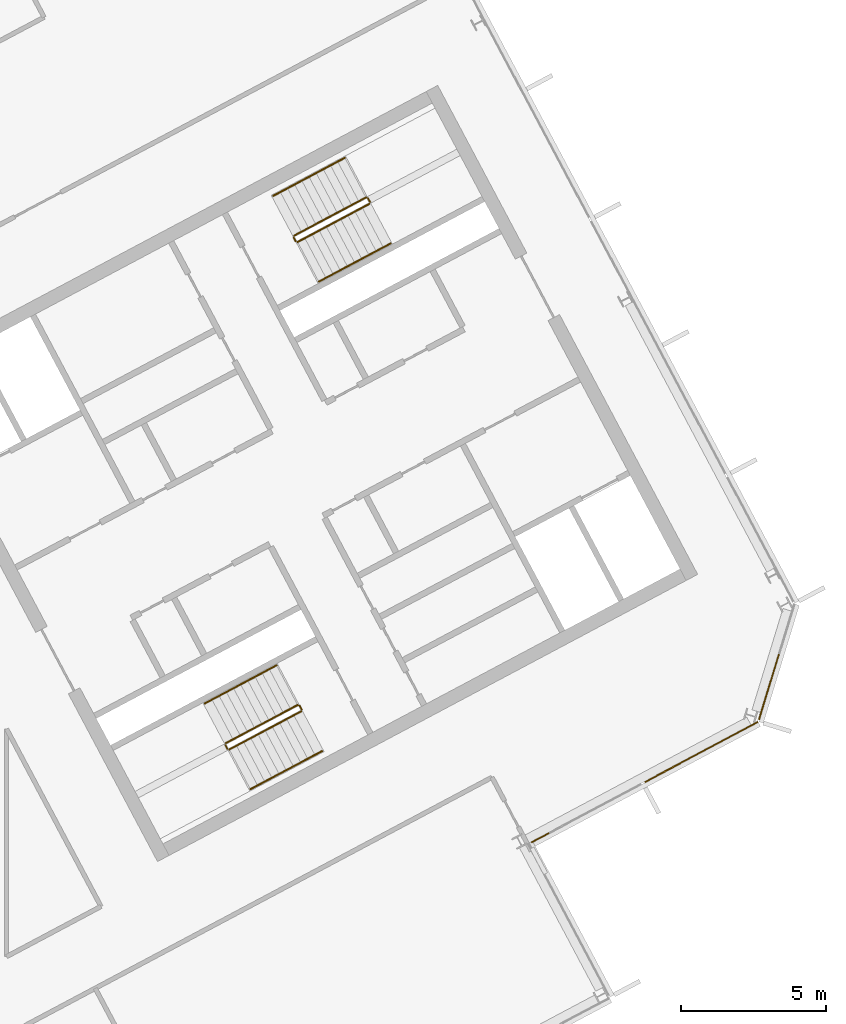
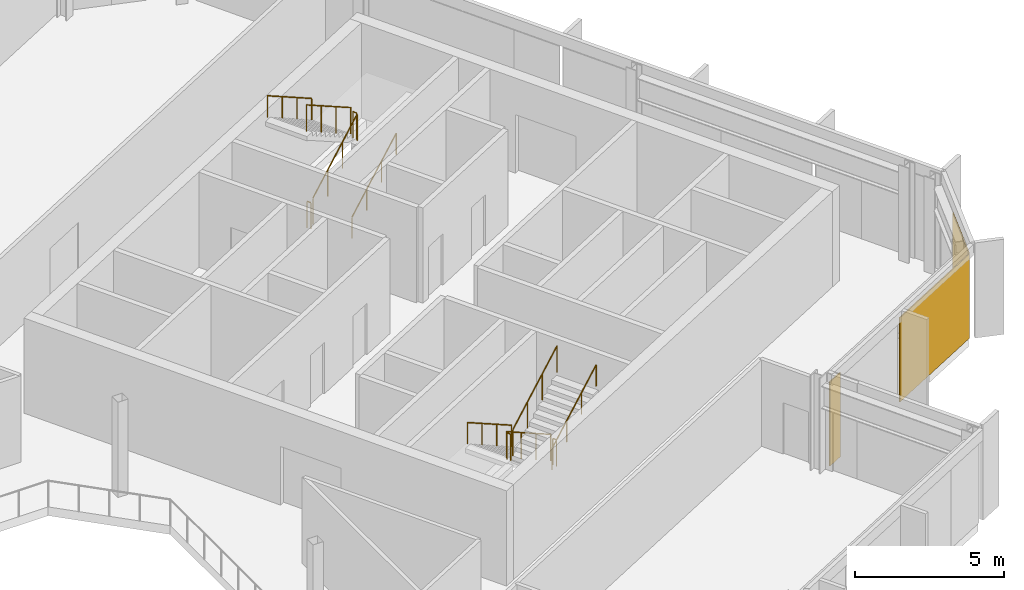
# One storey, part 25 of 26: 12 railings, 3 coverings, 2 elements without a shape of their own.
"""IFC4 building model written with IfcOpenShell, lengths in metres."""

from ifc_helpers import new_model, si_unit, direction, frame, origin, origin_2d, place, context, subcontext, project, spatial, polyline, rectangle, outline, extrude, material, layer, layer_set, type_object, element, aggregate, save


model = new_model("IFC4")

# Units and contexts
model_context = context("Model", 3, precision=1e-05, world=origin(), true_north=direction((0.0, 1.0)))
body_context = subcontext(model_context, "Body", "Model", "MODEL_VIEW")
ifc_project = project(units=[si_unit("LENGTHUNIT", "METRE"), si_unit("AREAUNIT", "SQUARE_METRE"), si_unit("VOLUMEUNIT", "CUBIC_METRE"), si_unit("PLANEANGLEUNIT", "RADIAN"), si_unit("MASSUNIT", "GRAM", prefix="KILO")], contexts=[model_context])

# Site, building, storey
site_placement = place(None, origin())
site = spatial("IfcSite", under=ifc_project, at=site_placement, CompositionType="ELEMENT")
building_placement = place(site_placement, origin())
building = spatial("IfcBuilding", under=site, at=building_placement, Name="Cormorant Relay Tower", CompositionType="ELEMENT")
storey_placement = place(building_placement, frame((0.0, 0.0, 300.89990234375)))
storey = spatial("IfcBuildingStorey", under=building, at=storey_placement, Name="L68", CompositionType="ELEMENT", Elevation=300.89990234375)

# Curtain wall, coverings
ifc_material_1 = material(Name="Aluminium 6063-T6 anodised bronze", Category="aluminium")
ifc_layer_1 = layer(ifc_material_1, 0.199951171875)
ifc_layer_set_1 = layer_set([ifc_layer_1], Name="CW1 unitised bronze curtain wall with vertical fins")
curtain_wall_type = type_object("IfcCurtainWallType", Name="CW1 unitised bronze curtain wall with vertical fins", PredefinedType="NOTDEFINED", material=ifc_layer_set_1)
curtain_wall_1_placement = place(storey_placement, origin())
curtain_wall_1 = element("IfcCurtainWall", 1, at=curtain_wall_1_placement, inside=storey, type_object=curtain_wall_type, Name="CW1 curtain wall 4", PredefinedType="NOTDEFINED")
ifc_material_2 = material(Name="Pale bronze anodised aluminium insulated panel", Category="aluminium")
ifc_layer_2 = layer(ifc_material_2, 0.0400390625)
ifc_layer_set_2 = layer_set([ifc_layer_2], Name="CW1 pale bronze insulated panel 40")
covering_type = type_object("IfcCoveringType", Name="CW1 pale bronze insulated panel 40", PredefinedType="CLADDING", material=ifc_layer_set_2)
covering_1_placement = place(storey_placement, frame((32.204345703125, 0.1123046875, 0.0), z_axis=(0.0, 0.0, 1.0), x_axis=(0.882947592859, 0.469471562786, 0.0)))
covering_1 = element("IfcCovering", 2, at=covering_1_placement, type_object=covering_type, Name="CW1 panel S00", PredefinedType="CLADDING", context=body_context, shape_type="SweptSolid", body=[
    extrude(rectangle(XDim=0.675048828125, YDim=0.0400390625, at=origin_2d()), origin(), (0.0, 0.0, 1.0), 3.449951171875),
])
covering_2_placement = place(storey_placement, frame((37.76708984375, 3.06982421875, 0.0), z_axis=(0.0, 0.0, 1.0), x_axis=(0.882947592859, 0.469471562786, 0.0)))
covering_2 = element("IfcCovering", 3, at=covering_2_placement, type_object=covering_type, Name="CW1 panel S02", PredefinedType="CLADDING", context=body_context, shape_type="SweptSolid", body=[
    extrude(rectangle(XDim=4.425048828125, YDim=0.0400390625, at=origin_2d()), origin(), (0.0, 0.0, 1.0), 3.449951171875),
])
aggregate(curtain_wall_1, [covering_1, covering_2])

# Curtain wall, covering
curtain_wall_2_placement = place(storey_placement, origin())
curtain_wall_2 = element("IfcCurtainWall", 4, at=curtain_wall_2_placement, inside=storey, type_object=curtain_wall_type, Name="CW1 curtain wall 5", PredefinedType="NOTDEFINED")
covering_3_placement = place(storey_placement, frame((40.098388671875, 5.32421875, 0.0), z_axis=(0.0, 0.0, 1.0), x_axis=(0.292371704723, 0.956304755963, 0.0)))
covering_3 = element("IfcCovering", 5, at=covering_3_placement, type_object=covering_type, Name="CW1 panel S00", PredefinedType="CLADDING", context=body_context, shape_type="SweptSolid", body=[
    extrude(rectangle(XDim=2.36767578125, YDim=0.0400390625, at=origin_2d()), origin(), (0.0, 0.0, 1.0), 3.449951171875),
])
aggregate(curtain_wall_2, [covering_3])

# Railings
ifc_material_3 = material(Name="Steel ASTM A572 Grade 50 (Fy 345 MPa)", Category="steel")
railing_type_1 = type_object("IfcRailingType", Name="Stair guard 1100", PredefinedType="GUARDRAIL", material=ifc_material_3)
railing_1_placement = place(storey_placement, frame((23.83837890625, 4.6904296875, 0.177490234375)))
element("IfcRailing", 6, at=railing_1_placement, inside=storey, type_object=railing_type_1, Name="L68 B1 stair guard 1", PredefinedType="GUARDRAIL", context=body_context, shape_type="SweptSolid", body=[
    extrude(outline(polyline([(0.022216796875, 0.00927734375), (0.00927734375, 0.022216796875), (-0.00927734375, 0.022216796875), (-0.022216796875, 0.00927734375), (-0.022216796875, -0.00927734375), (-0.00927734375, -0.022216796875), (0.00927734375, -0.022216796875), (0.022216796875, -0.00927734375), (0.022216796875, 0.00927734375)])), frame((0.0, 0.0, 1.076171875), z_axis=(-0.746033882577, -0.396627473466, 0.534901947407), x_axis=(0.469429322983, -0.882970050864, 0.0)), (0.0, 0.0, 1.0), 3.31396484375),
    extrude(outline(polyline([(0.019287109375, 0.008056640625), (0.008056640625, 0.019287109375), (-0.008056640625, 0.019287109375), (-0.019287109375, 0.008056640625), (-0.019287109375, -0.008056640625), (-0.008056640625, -0.019287109375), (0.008056640625, -0.019287109375), (0.019287109375, -0.008056640625), (0.019287109375, 0.008056640625)])), origin(), (0.0, 0.0, 1.0), 1.052001953125),
    extrude(outline(polyline([(0.019287109375, 0.008056640625), (0.008056640625, 0.019287109375), (-0.008056640625, 0.019287109375), (-0.019287109375, 0.008056640625), (-0.019287109375, -0.008056640625), (-0.008056640625, -0.019287109375), (0.008056640625, -0.019287109375), (0.019287109375, -0.008056640625), (0.019287109375, 0.008056640625)])), frame((-0.82421875, -0.438232421875, 0.5908203125)), (0.0, 0.0, 1.0), 1.052001953125),
    extrude(outline(polyline([(0.019287109375, 0.008056640625), (0.008056640625, 0.019287109375), (-0.008056640625, 0.019287109375), (-0.019287109375, 0.008056640625), (-0.019287109375, -0.008056640625), (-0.008056640625, -0.019287109375), (0.008056640625, -0.019287109375), (0.019287109375, -0.008056640625), (0.019287109375, 0.008056640625)])), frame((-1.648193359375, -0.876220703125, 1.181884765625)), (0.0, 0.0, 1.0), 1.052001953125),
    extrude(outline(polyline([(0.019287109375, 0.008056640625), (0.008056640625, 0.019287109375), (-0.008056640625, 0.019287109375), (-0.019287109375, 0.008056640625), (-0.019287109375, -0.008056640625), (-0.008056640625, -0.019287109375), (0.008056640625, -0.019287109375), (0.019287109375, -0.008056640625), (0.019287109375, 0.008056640625)])), frame((-2.472412109375, -1.314453125, 1.772705078125)), (0.0, 0.0, 1.0), 1.052001953125),
])
railing_2_placement = place(storey_placement, frame((21.345458984375, 3.308349609375, 1.9501953125)))
element("IfcRailing", 7, at=railing_2_placement, inside=storey, type_object=railing_type_1, Name="L68 B1 stair guard 2", PredefinedType="GUARDRAIL", context=body_context, shape_type="SweptSolid", body=[
    extrude(outline(polyline([(0.022216796875, 0.00927734375), (0.00927734375, 0.022216796875), (-0.00927734375, 0.022216796875), (-0.022216796875, 0.00927734375), (-0.022216796875, -0.00927734375), (-0.00927734375, -0.022216796875), (0.00927734375, -0.022216796875), (0.022216796875, -0.00927734375), (0.022216796875, 0.00927734375)])), frame((0.0, 0.0, 1.076171875), z_axis=(0.46856034887, -0.8834314911, 0.0), x_axis=(0.8834314911, 0.46856034887, 0.0)), (0.0, 0.0, 1.0), 0.150146484375),
    extrude(outline(polyline([(0.019287109375, 0.008056640625), (0.008056640625, 0.019287109375), (-0.008056640625, 0.019287109375), (-0.019287109375, 0.008056640625), (-0.019287109375, -0.008056640625), (-0.008056640625, -0.019287109375), (0.008056640625, -0.019287109375), (0.019287109375, -0.008056640625), (0.019287109375, 0.008056640625)])), origin(), (0.0, 0.0, 1.0), 1.052001953125),
    extrude(outline(polyline([(0.019287109375, 0.008056640625), (0.008056640625, 0.019287109375), (-0.008056640625, 0.019287109375), (-0.019287109375, 0.008056640625), (-0.019287109375, -0.008056640625), (-0.008056640625, -0.019287109375), (0.008056640625, -0.019287109375), (0.019287109375, -0.008056640625), (0.019287109375, 0.008056640625)])), frame((0.0703125, -0.132568359375, 0.0)), (0.0, 0.0, 1.0), 1.052001953125),
])
railing_3_placement = place(storey_placement, frame((21.4833984375, 3.1552734375, 2.12744140625)))
element("IfcRailing", 8, at=railing_3_placement, inside=storey, type_object=railing_type_1, Name="L68 B1 stair guard 3", PredefinedType="GUARDRAIL", context=body_context, shape_type="SweptSolid", body=[
    extrude(outline(polyline([(0.022216796875, 0.00927734375), (0.00927734375, 0.022216796875), (-0.00927734375, 0.022216796875), (-0.022216796875, 0.00927734375), (-0.022216796875, -0.00927734375), (-0.00927734375, -0.022216796875), (0.00927734375, -0.022216796875), (0.022216796875, -0.00927734375), (0.022216796875, 0.00927734375)])), frame((0.0, 0.0, 1.076171875), z_axis=(0.746001213114, 0.396649272309, 0.534931345884), x_axis=(-0.469465464807, 0.882950835185, 0.0)), (0.0, 0.0, 1.0), 3.31396484375),
    extrude(outline(polyline([(0.019287109375, 0.008056640625), (0.008056640625, 0.019287109375), (-0.008056640625, 0.019287109375), (-0.019287109375, 0.008056640625), (-0.019287109375, -0.008056640625), (-0.008056640625, -0.019287109375), (0.008056640625, -0.019287109375), (0.019287109375, -0.008056640625), (0.019287109375, 0.008056640625)])), origin(), (0.0, 0.0, 1.0), 1.052001953125),
    extrude(outline(polyline([(0.019287109375, 0.008056640625), (0.008056640625, 0.019287109375), (-0.008056640625, 0.019287109375), (-0.019287109375, 0.008056640625), (-0.019287109375, -0.008056640625), (-0.008056640625, -0.019287109375), (0.008056640625, -0.019287109375), (0.019287109375, -0.008056640625), (0.019287109375, 0.008056640625)])), frame((0.823974609375, 0.438232421875, 0.5908203125)), (0.0, 0.0, 1.0), 1.052001953125),
    extrude(outline(polyline([(0.019287109375, 0.008056640625), (0.008056640625, 0.019287109375), (-0.008056640625, 0.019287109375), (-0.019287109375, 0.008056640625), (-0.019287109375, -0.008056640625), (-0.008056640625, -0.019287109375), (0.008056640625, -0.019287109375), (0.019287109375, -0.008056640625), (0.019287109375, 0.008056640625)])), frame((1.648193359375, 0.876220703125, 1.181884765625)), (0.0, 0.0, 1.0), 1.052001953125),
    extrude(outline(polyline([(0.019287109375, 0.008056640625), (0.008056640625, 0.019287109375), (-0.008056640625, 0.019287109375), (-0.019287109375, 0.008056640625), (-0.019287109375, -0.008056640625), (-0.008056640625, -0.019287109375), (0.008056640625, -0.019287109375), (0.019287109375, -0.008056640625), (0.019287109375, 0.008056640625)])), frame((2.47216796875, 1.314453125, 1.772705078125)), (0.0, 0.0, 1.0), 1.052001953125),
])
railing_4_placement = place(storey_placement, frame((23.906005859375, 4.669677734375, 0.0)))
element("IfcRailing", 9, at=railing_4_placement, inside=storey, type_object=railing_type_1, Name="L68 B1 stair guard 4", PredefinedType="GUARDRAIL", context=body_context, shape_type="SweptSolid", body=[
    extrude(outline(polyline([(0.022216796875, 0.00927734375), (0.00927734375, 0.022216796875), (-0.00927734375, 0.022216796875), (-0.022216796875, 0.00927734375), (-0.022216796875, -0.00927734375), (-0.00927734375, -0.022216796875), (0.00927734375, -0.022216796875), (0.022216796875, -0.00927734375), (0.022216796875, 0.00927734375)])), frame((0.0, 0.0, 1.076171875), z_axis=(0.469234640946, -0.883073525669, 0.0), x_axis=(0.883073525669, 0.469234640946, 0.0)), (0.0, 0.0, 1.0), 0.14990234375),
    extrude(outline(polyline([(0.019287109375, 0.008056640625), (0.008056640625, 0.019287109375), (-0.008056640625, 0.019287109375), (-0.019287109375, 0.008056640625), (-0.019287109375, -0.008056640625), (-0.008056640625, -0.019287109375), (0.008056640625, -0.019287109375), (0.019287109375, -0.008056640625), (0.019287109375, 0.008056640625)])), origin(), (0.0, 0.0, 1.0), 1.052001953125),
    extrude(outline(polyline([(0.019287109375, 0.008056640625), (0.008056640625, 0.019287109375), (-0.008056640625, 0.019287109375), (-0.019287109375, 0.008056640625), (-0.019287109375, -0.008056640625), (-0.008056640625, -0.019287109375), (0.008056640625, -0.019287109375), (0.019287109375, -0.008056640625), (0.019287109375, 0.008056640625)])), frame((0.0703125, -0.13232421875, 0.0)), (0.0, 0.0, 1.0), 1.052001953125),
])
railing_5_placement = place(storey_placement, frame((23.8408203125, 20.6611328125, 0.177490234375)))
element("IfcRailing", 10, at=railing_5_placement, inside=storey, type_object=railing_type_1, Name="L68 B2 stair guard 1", PredefinedType="GUARDRAIL", context=body_context, shape_type="SweptSolid", body=[
    extrude(outline(polyline([(0.022216796875, 0.00927734375), (0.00927734375, 0.022216796875), (-0.00927734375, 0.022216796875), (-0.022216796875, 0.00927734375), (-0.022216796875, -0.00927734375), (-0.00927734375, -0.022216796875), (0.00927734375, -0.022216796875), (0.022216796875, -0.00927734375), (0.022216796875, 0.00927734375)])), frame((0.0, 0.0, 1.076171875), z_axis=(0.746033882577, 0.396627473466, 0.534901947407), x_axis=(-0.469429322983, 0.882970050864, 0.0)), (0.0, 0.0, 1.0), 3.31396484375),
    extrude(outline(polyline([(0.019287109375, 0.008056640625), (0.008056640625, 0.019287109375), (-0.008056640625, 0.019287109375), (-0.019287109375, 0.008056640625), (-0.019287109375, -0.008056640625), (-0.008056640625, -0.019287109375), (0.008056640625, -0.019287109375), (0.019287109375, -0.008056640625), (0.019287109375, 0.008056640625)])), origin(), (0.0, 0.0, 1.0), 1.052001953125),
    extrude(outline(polyline([(0.019287109375, 0.008056640625), (0.008056640625, 0.019287109375), (-0.008056640625, 0.019287109375), (-0.019287109375, 0.008056640625), (-0.019287109375, -0.008056640625), (-0.008056640625, -0.019287109375), (0.008056640625, -0.019287109375), (0.019287109375, -0.008056640625), (0.019287109375, 0.008056640625)])), frame((0.82421875, 0.438232421875, 0.5908203125)), (0.0, 0.0, 1.0), 1.052001953125),
    extrude(outline(polyline([(0.019287109375, 0.008056640625), (0.008056640625, 0.019287109375), (-0.008056640625, 0.019287109375), (-0.019287109375, 0.008056640625), (-0.019287109375, -0.008056640625), (-0.008056640625, -0.019287109375), (0.008056640625, -0.019287109375), (0.019287109375, -0.008056640625), (0.019287109375, 0.008056640625)])), frame((1.648193359375, 0.876220703125, 1.181884765625)), (0.0, 0.0, 1.0), 1.052001953125),
    extrude(outline(polyline([(0.019287109375, 0.008056640625), (0.008056640625, 0.019287109375), (-0.008056640625, 0.019287109375), (-0.019287109375, 0.008056640625), (-0.019287109375, -0.008056640625), (-0.008056640625, -0.019287109375), (0.008056640625, -0.019287109375), (0.019287109375, -0.008056640625), (0.019287109375, 0.008056640625)])), frame((2.472412109375, 1.314453125, 1.772705078125)), (0.0, 0.0, 1.0), 1.052001953125),
])
railing_6_placement = place(storey_placement, frame((26.333740234375, 22.043212890625, 1.9501953125)))
element("IfcRailing", 11, at=railing_6_placement, inside=storey, type_object=railing_type_1, Name="L68 B2 stair guard 2", PredefinedType="GUARDRAIL", context=body_context, shape_type="SweptSolid", body=[
    extrude(outline(polyline([(0.022216796875, 0.00927734375), (0.00927734375, 0.022216796875), (-0.00927734375, 0.022216796875), (-0.022216796875, 0.00927734375), (-0.022216796875, -0.00927734375), (-0.00927734375, -0.022216796875), (0.00927734375, -0.022216796875), (0.022216796875, -0.00927734375), (0.022216796875, 0.00927734375)])), frame((0.0, 0.0, 1.076171875), z_axis=(-0.469234640946, 0.883073525669, 0.0), x_axis=(-0.883073525669, -0.469234640946, 0.0)), (0.0, 0.0, 1.0), 0.14990234375),
    extrude(outline(polyline([(0.019287109375, 0.008056640625), (0.008056640625, 0.019287109375), (-0.008056640625, 0.019287109375), (-0.019287109375, 0.008056640625), (-0.019287109375, -0.008056640625), (-0.008056640625, -0.019287109375), (0.008056640625, -0.019287109375), (0.019287109375, -0.008056640625), (0.019287109375, 0.008056640625)])), origin(), (0.0, 0.0, 1.0), 1.052001953125),
    extrude(outline(polyline([(0.019287109375, 0.008056640625), (0.008056640625, 0.019287109375), (-0.008056640625, 0.019287109375), (-0.019287109375, 0.008056640625), (-0.019287109375, -0.008056640625), (-0.008056640625, -0.019287109375), (0.008056640625, -0.019287109375), (0.019287109375, -0.008056640625), (0.019287109375, 0.008056640625)])), frame((-0.0703125, 0.13232421875, 0.0)), (0.0, 0.0, 1.0), 1.052001953125),
])
railing_7_placement = place(storey_placement, frame((26.19580078125, 22.1962890625, 2.12744140625)))
element("IfcRailing", 12, at=railing_7_placement, inside=storey, type_object=railing_type_1, Name="L68 B2 stair guard 3", PredefinedType="GUARDRAIL", context=body_context, shape_type="SweptSolid", body=[
    extrude(outline(polyline([(0.022216796875, 0.00927734375), (0.00927734375, 0.022216796875), (-0.00927734375, 0.022216796875), (-0.022216796875, 0.00927734375), (-0.022216796875, -0.00927734375), (-0.00927734375, -0.022216796875), (0.00927734375, -0.022216796875), (0.022216796875, -0.00927734375), (0.022216796875, 0.00927734375)])), frame((0.0, 0.0, 1.076171875), z_axis=(-0.746033882577, -0.396627473466, 0.534901947407), x_axis=(0.469429322983, -0.882970050864, 0.0)), (0.0, 0.0, 1.0), 3.31396484375),
    extrude(outline(polyline([(0.019287109375, 0.008056640625), (0.008056640625, 0.019287109375), (-0.008056640625, 0.019287109375), (-0.019287109375, 0.008056640625), (-0.019287109375, -0.008056640625), (-0.008056640625, -0.019287109375), (0.008056640625, -0.019287109375), (0.019287109375, -0.008056640625), (0.019287109375, 0.008056640625)])), origin(), (0.0, 0.0, 1.0), 1.052001953125),
    extrude(outline(polyline([(0.019287109375, 0.008056640625), (0.008056640625, 0.019287109375), (-0.008056640625, 0.019287109375), (-0.019287109375, 0.008056640625), (-0.019287109375, -0.008056640625), (-0.008056640625, -0.019287109375), (0.008056640625, -0.019287109375), (0.019287109375, -0.008056640625), (0.019287109375, 0.008056640625)])), frame((-0.82421875, -0.438232421875, 0.5908203125)), (0.0, 0.0, 1.0), 1.052001953125),
    extrude(outline(polyline([(0.019287109375, 0.008056640625), (0.008056640625, 0.019287109375), (-0.008056640625, 0.019287109375), (-0.019287109375, 0.008056640625), (-0.019287109375, -0.008056640625), (-0.008056640625, -0.019287109375), (0.008056640625, -0.019287109375), (0.019287109375, -0.008056640625), (0.019287109375, 0.008056640625)])), frame((-1.648193359375, -0.876220703125, 1.181884765625)), (0.0, 0.0, 1.0), 1.052001953125),
    extrude(outline(polyline([(0.019287109375, 0.008056640625), (0.008056640625, 0.019287109375), (-0.008056640625, 0.019287109375), (-0.019287109375, 0.008056640625), (-0.019287109375, -0.008056640625), (-0.008056640625, -0.019287109375), (0.008056640625, -0.019287109375), (0.019287109375, -0.008056640625), (0.019287109375, 0.008056640625)])), frame((-2.472412109375, -1.314453125, 1.772705078125)), (0.0, 0.0, 1.0), 1.052001953125),
])
railing_8_placement = place(storey_placement, frame((23.773193359375, 20.681640625, 0.0)))
element("IfcRailing", 13, at=railing_8_placement, inside=storey, type_object=railing_type_1, Name="L68 B2 stair guard 4", PredefinedType="GUARDRAIL", context=body_context, shape_type="SweptSolid", body=[
    extrude(outline(polyline([(0.022216796875, 0.00927734375), (0.00927734375, 0.022216796875), (-0.00927734375, 0.022216796875), (-0.022216796875, 0.00927734375), (-0.022216796875, -0.00927734375), (-0.00927734375, -0.022216796875), (0.00927734375, -0.022216796875), (0.022216796875, -0.00927734375), (0.022216796875, 0.00927734375)])), frame((0.0, 0.0, 1.076171875), z_axis=(-0.46856034887, 0.8834314911, 0.0), x_axis=(-0.8834314911, -0.46856034887, 0.0)), (0.0, 0.0, 1.0), 0.150146484375),
    extrude(outline(polyline([(0.019287109375, 0.008056640625), (0.008056640625, 0.019287109375), (-0.008056640625, 0.019287109375), (-0.019287109375, 0.008056640625), (-0.019287109375, -0.008056640625), (-0.008056640625, -0.019287109375), (0.008056640625, -0.019287109375), (0.019287109375, -0.008056640625), (0.019287109375, 0.008056640625)])), origin(), (0.0, 0.0, 1.0), 1.052001953125),
    extrude(outline(polyline([(0.019287109375, 0.008056640625), (0.008056640625, 0.019287109375), (-0.008056640625, 0.019287109375), (-0.019287109375, 0.008056640625), (-0.019287109375, -0.008056640625), (-0.008056640625, -0.019287109375), (0.008056640625, -0.019287109375), (0.019287109375, -0.008056640625), (0.019287109375, 0.008056640625)])), frame((-0.0703125, 0.132568359375, 0.0)), (0.0, 0.0, 1.0), 1.052001953125),
])
ifc_material_4 = material(Name="Steel ASTM A572 Grade 50 (Fy 345 MPa)", Category="steel")
railing_type_2 = type_object("IfcRailingType", Name="Stair handrail 900", PredefinedType="HANDRAIL", material=ifc_material_4)
railing_9_placement = place(storey_placement, frame((23.110595703125, 6.05908203125, 0.177490234375)))
element("IfcRailing", 14, at=railing_9_placement, inside=storey, type_object=railing_type_2, Name="L68 B1 stair handrail 1", PredefinedType="HANDRAIL", context=body_context, shape_type="SweptSolid", body=[
    extrude(outline(polyline([(0.022216796875, 0.00927734375), (0.00927734375, 0.022216796875), (-0.00927734375, 0.022216796875), (-0.022216796875, 0.00927734375), (-0.022216796875, -0.00927734375), (-0.00927734375, -0.022216796875), (0.00927734375, -0.022216796875), (0.022216796875, -0.00927734375), (0.022216796875, 0.00927734375)])), frame((0.0, 0.0, 0.8759765625), z_axis=(-0.745979412481, -0.396711350603, 0.534915713414), x_axis=(0.469533439143, -0.882914689835, 0.0)), (0.0, 0.0, 1.0), 3.31396484375),
    extrude(outline(polyline([(0.019287109375, 0.008056640625), (0.008056640625, 0.019287109375), (-0.008056640625, 0.019287109375), (-0.019287109375, 0.008056640625), (-0.019287109375, -0.008056640625), (-0.008056640625, -0.019287109375), (0.008056640625, -0.019287109375), (0.019287109375, -0.008056640625), (0.019287109375, 0.008056640625)])), origin(), (0.0, 0.0, 1.0), 0.851806640625),
    extrude(outline(polyline([(0.019287109375, 0.008056640625), (0.008056640625, 0.019287109375), (-0.008056640625, 0.019287109375), (-0.019287109375, 0.008056640625), (-0.019287109375, -0.008056640625), (-0.008056640625, -0.019287109375), (0.008056640625, -0.019287109375), (0.019287109375, -0.008056640625), (0.019287109375, 0.008056640625)])), frame((-0.823974609375, -0.438232421875, 0.5908203125)), (0.0, 0.0, 1.0), 0.851806640625),
    extrude(outline(polyline([(0.019287109375, 0.008056640625), (0.008056640625, 0.019287109375), (-0.008056640625, 0.019287109375), (-0.019287109375, 0.008056640625), (-0.019287109375, -0.008056640625), (-0.008056640625, -0.019287109375), (0.008056640625, -0.019287109375), (0.019287109375, -0.008056640625), (0.019287109375, 0.008056640625)])), frame((-1.648193359375, -0.87646484375, 1.181884765625)), (0.0, 0.0, 1.0), 0.851806640625),
    extrude(outline(polyline([(0.019287109375, 0.008056640625), (0.008056640625, 0.019287109375), (-0.008056640625, 0.019287109375), (-0.019287109375, 0.008056640625), (-0.019287109375, -0.008056640625), (-0.008056640625, -0.019287109375), (0.008056640625, -0.019287109375), (0.019287109375, -0.008056640625), (0.019287109375, 0.008056640625)])), frame((-2.47216796875, -1.314697265625, 1.772705078125)), (0.0, 0.0, 1.0), 0.851806640625),
])
railing_10_placement = place(storey_placement, frame((22.211181640625, 1.78662109375, 2.12744140625)))
element("IfcRailing", 15, at=railing_10_placement, inside=storey, type_object=railing_type_2, Name="L68 B1 stair handrail 2", PredefinedType="HANDRAIL", context=body_context, shape_type="SweptSolid", body=[
    extrude(outline(polyline([(0.022216796875, 0.00927734375), (0.00927734375, 0.022216796875), (-0.00927734375, 0.022216796875), (-0.022216796875, 0.00927734375), (-0.022216796875, -0.00927734375), (-0.00927734375, -0.022216796875), (0.00927734375, -0.022216796875), (0.022216796875, -0.00927734375), (0.022216796875, 0.00927734375)])), frame((0.0, 0.0, 0.8759765625), z_axis=(0.746001213114, 0.396649272309, 0.534931345884), x_axis=(-0.469465464807, 0.882950835185, 0.0)), (0.0, 0.0, 1.0), 3.31396484375),
    extrude(outline(polyline([(0.019287109375, 0.008056640625), (0.008056640625, 0.019287109375), (-0.008056640625, 0.019287109375), (-0.019287109375, 0.008056640625), (-0.019287109375, -0.008056640625), (-0.008056640625, -0.019287109375), (0.008056640625, -0.019287109375), (0.019287109375, -0.008056640625), (0.019287109375, 0.008056640625)])), origin(), (0.0, 0.0, 1.0), 0.851806640625),
    extrude(outline(polyline([(0.019287109375, 0.008056640625), (0.008056640625, 0.019287109375), (-0.008056640625, 0.019287109375), (-0.019287109375, 0.008056640625), (-0.019287109375, -0.008056640625), (-0.008056640625, -0.019287109375), (0.008056640625, -0.019287109375), (0.019287109375, -0.008056640625), (0.019287109375, 0.008056640625)])), frame((0.823974609375, 0.438232421875, 0.5908203125)), (0.0, 0.0, 1.0), 0.851806640625),
    extrude(outline(polyline([(0.019287109375, 0.008056640625), (0.008056640625, 0.019287109375), (-0.008056640625, 0.019287109375), (-0.019287109375, 0.008056640625), (-0.019287109375, -0.008056640625), (-0.008056640625, -0.019287109375), (0.008056640625, -0.019287109375), (0.019287109375, -0.008056640625), (0.019287109375, 0.008056640625)])), frame((1.648193359375, 0.876220703125, 1.181884765625)), (0.0, 0.0, 1.0), 0.851806640625),
    extrude(outline(polyline([(0.019287109375, 0.008056640625), (0.008056640625, 0.019287109375), (-0.008056640625, 0.019287109375), (-0.019287109375, 0.008056640625), (-0.019287109375, -0.008056640625), (-0.008056640625, -0.019287109375), (0.008056640625, -0.019287109375), (0.019287109375, -0.008056640625), (0.019287109375, 0.008056640625)])), frame((2.47216796875, 1.314453125, 1.772705078125)), (0.0, 0.0, 1.0), 0.851806640625),
])
railing_11_placement = place(storey_placement, frame((24.568603515625, 19.29248046875, 0.177490234375)))
element("IfcRailing", 16, at=railing_11_placement, inside=storey, type_object=railing_type_2, Name="L68 B2 stair handrail 1", PredefinedType="HANDRAIL", context=body_context, shape_type="SweptSolid", body=[
    extrude(outline(polyline([(0.022216796875, 0.00927734375), (0.00927734375, 0.022216796875), (-0.00927734375, 0.022216796875), (-0.022216796875, 0.00927734375), (-0.022216796875, -0.00927734375), (-0.00927734375, -0.022216796875), (0.00927734375, -0.022216796875), (0.022216796875, -0.00927734375), (0.022216796875, 0.00927734375)])), frame((0.0, 0.0, 0.8759765625), z_axis=(0.746001213114, 0.396649272309, 0.534931345884), x_axis=(-0.469465464807, 0.882950835185, 0.0)), (0.0, 0.0, 1.0), 3.31396484375),
    extrude(outline(polyline([(0.019287109375, 0.008056640625), (0.008056640625, 0.019287109375), (-0.008056640625, 0.019287109375), (-0.019287109375, 0.008056640625), (-0.019287109375, -0.008056640625), (-0.008056640625, -0.019287109375), (0.008056640625, -0.019287109375), (0.019287109375, -0.008056640625), (0.019287109375, 0.008056640625)])), origin(), (0.0, 0.0, 1.0), 0.851806640625),
    extrude(outline(polyline([(0.019287109375, 0.008056640625), (0.008056640625, 0.019287109375), (-0.008056640625, 0.019287109375), (-0.019287109375, 0.008056640625), (-0.019287109375, -0.008056640625), (-0.008056640625, -0.019287109375), (0.008056640625, -0.019287109375), (0.019287109375, -0.008056640625), (0.019287109375, 0.008056640625)])), frame((0.823974609375, 0.438232421875, 0.5908203125)), (0.0, 0.0, 1.0), 0.851806640625),
    extrude(outline(polyline([(0.019287109375, 0.008056640625), (0.008056640625, 0.019287109375), (-0.008056640625, 0.019287109375), (-0.019287109375, 0.008056640625), (-0.019287109375, -0.008056640625), (-0.008056640625, -0.019287109375), (0.008056640625, -0.019287109375), (0.019287109375, -0.008056640625), (0.019287109375, 0.008056640625)])), frame((1.648193359375, 0.876220703125, 1.181884765625)), (0.0, 0.0, 1.0), 0.851806640625),
    extrude(outline(polyline([(0.019287109375, 0.008056640625), (0.008056640625, 0.019287109375), (-0.008056640625, 0.019287109375), (-0.019287109375, 0.008056640625), (-0.019287109375, -0.008056640625), (-0.008056640625, -0.019287109375), (0.008056640625, -0.019287109375), (0.019287109375, -0.008056640625), (0.019287109375, 0.008056640625)])), frame((2.47216796875, 1.314453125, 1.772705078125)), (0.0, 0.0, 1.0), 0.851806640625),
])
railing_12_placement = place(storey_placement, frame((25.468017578125, 23.56494140625, 2.12744140625)))
element("IfcRailing", 17, at=railing_12_placement, inside=storey, type_object=railing_type_2, Name="L68 B2 stair handrail 2", PredefinedType="HANDRAIL", context=body_context, shape_type="SweptSolid", body=[
    extrude(outline(polyline([(0.022216796875, 0.00927734375), (0.00927734375, 0.022216796875), (-0.00927734375, 0.022216796875), (-0.022216796875, 0.00927734375), (-0.022216796875, -0.00927734375), (-0.00927734375, -0.022216796875), (0.00927734375, -0.022216796875), (0.022216796875, -0.00927734375), (0.022216796875, 0.00927734375)])), frame((0.0, 0.0, 0.8759765625), z_axis=(-0.745979412481, -0.396711350603, 0.534915713414), x_axis=(0.469533439143, -0.882914689835, 0.0)), (0.0, 0.0, 1.0), 3.31396484375),
    extrude(outline(polyline([(0.019287109375, 0.008056640625), (0.008056640625, 0.019287109375), (-0.008056640625, 0.019287109375), (-0.019287109375, 0.008056640625), (-0.019287109375, -0.008056640625), (-0.008056640625, -0.019287109375), (0.008056640625, -0.019287109375), (0.019287109375, -0.008056640625), (0.019287109375, 0.008056640625)])), origin(), (0.0, 0.0, 1.0), 0.851806640625),
    extrude(outline(polyline([(0.019287109375, 0.008056640625), (0.008056640625, 0.019287109375), (-0.008056640625, 0.019287109375), (-0.019287109375, 0.008056640625), (-0.019287109375, -0.008056640625), (-0.008056640625, -0.019287109375), (0.008056640625, -0.019287109375), (0.019287109375, -0.008056640625), (0.019287109375, 0.008056640625)])), frame((-0.823974609375, -0.438232421875, 0.5908203125)), (0.0, 0.0, 1.0), 0.851806640625),
    extrude(outline(polyline([(0.019287109375, 0.008056640625), (0.008056640625, 0.019287109375), (-0.008056640625, 0.019287109375), (-0.019287109375, 0.008056640625), (-0.019287109375, -0.008056640625), (-0.008056640625, -0.019287109375), (0.008056640625, -0.019287109375), (0.019287109375, -0.008056640625), (0.019287109375, 0.008056640625)])), frame((-1.648193359375, -0.87646484375, 1.181884765625)), (0.0, 0.0, 1.0), 0.851806640625),
    extrude(outline(polyline([(0.019287109375, 0.008056640625), (0.008056640625, 0.019287109375), (-0.008056640625, 0.019287109375), (-0.019287109375, 0.008056640625), (-0.019287109375, -0.008056640625), (-0.008056640625, -0.019287109375), (0.008056640625, -0.019287109375), (0.019287109375, -0.008056640625), (0.019287109375, 0.008056640625)])), frame((-2.47216796875, -1.314697265625, 1.772705078125)), (0.0, 0.0, 1.0), 0.851806640625),
])

save(model, "model.ifc")
